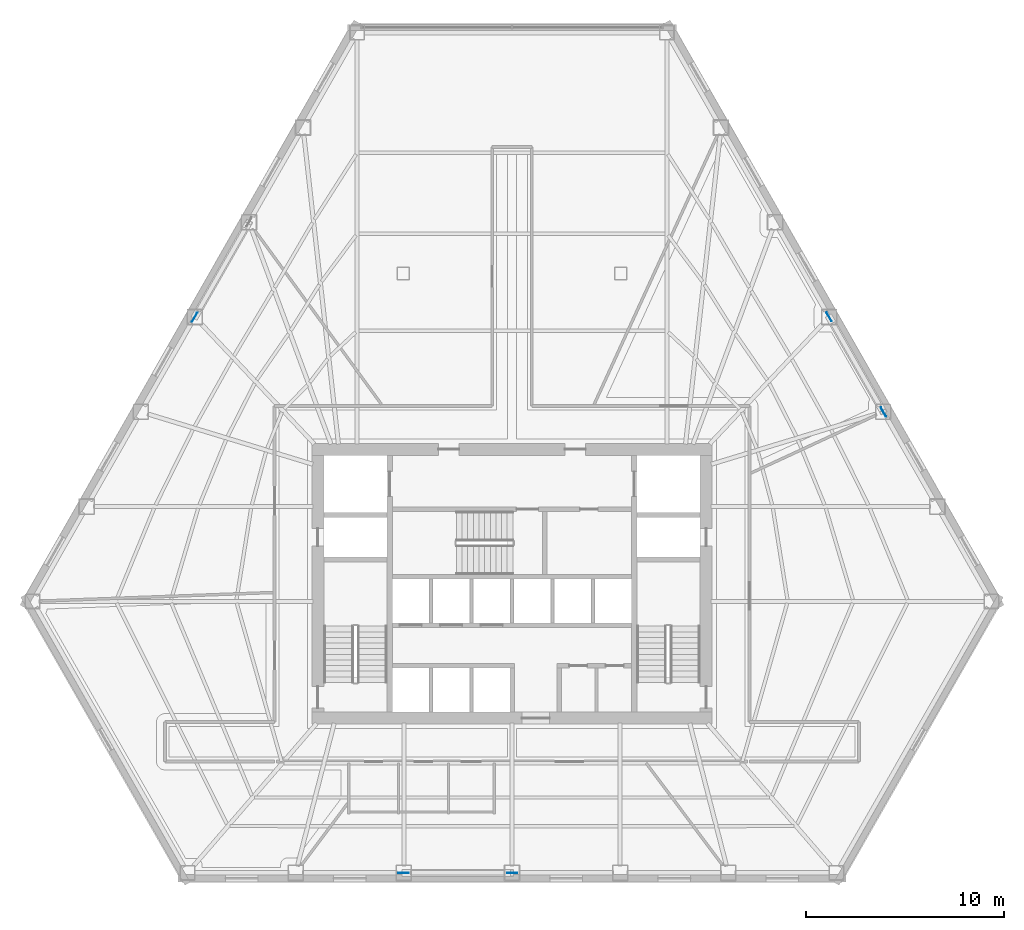
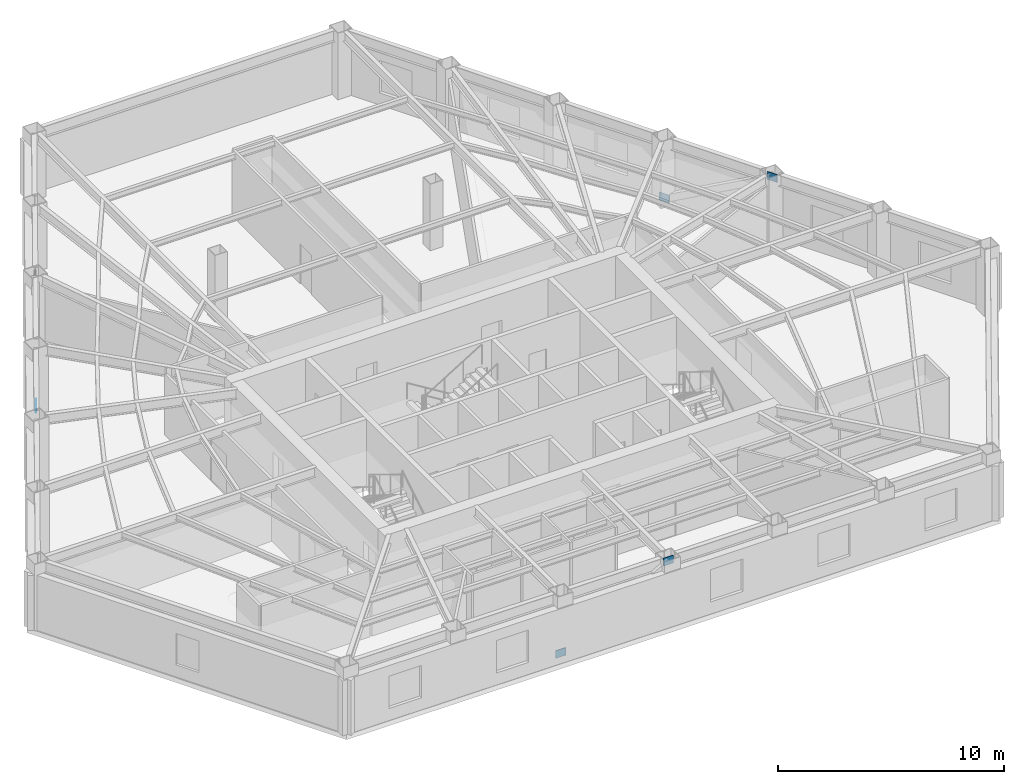
# One storey, part 5 of 12: 5 plates.
"""IFC4 building model written with IfcOpenShell, lengths in metres."""

from ifc_helpers import new_model, si_unit, direction, frame, origin, origin_2d, place, context, subcontext, project, spatial, rectangle, extrude, material, layer, layer_set, type_object, element, save


model = new_model("IFC4")

# Units and contexts
model_context = context("Model", 3, precision=1e-05, world=origin(), true_north=direction((0.0, 1.0)))
body_context = subcontext(model_context, "Body", "Model", "MODEL_VIEW")
ifc_project = project(units=[si_unit("LENGTHUNIT", "METRE"), si_unit("AREAUNIT", "SQUARE_METRE"), si_unit("VOLUMEUNIT", "CUBIC_METRE"), si_unit("PLANEANGLEUNIT", "RADIAN"), si_unit("MASSUNIT", "GRAM", prefix="KILO")], contexts=[model_context])

# Site, building, storey
site_placement = place(None, origin())
site = spatial("IfcSite", under=ifc_project, at=site_placement, CompositionType="ELEMENT")
building_placement = place(site_placement, origin())
building = spatial("IfcBuilding", under=site, at=building_placement, Name="Kavelnor Concourse Tower", CompositionType="ELEMENT")
storey_placement = place(building_placement, frame((0.0, 0.0, 21.39990234375)))
storey = spatial("IfcBuildingStorey", under=building, at=storey_placement, Name="L05", CompositionType="ELEMENT", Elevation=21.39990234375)

# Plates
ifc_material = material(Name="Steel Grade 350", Category="steel")
ifc_layer = layer(ifc_material, 0.031982421875, Name="Steel Grade 350")
ifc_layer_set = layer_set([ifc_layer], Name="Steel Grade 350")
plate_type = type_object("IfcPlateType", Name="PL-GUSSET-TUBE-Z1", PredefinedType="USERDEFINED", material=ifc_layer_set)
for number, where, z_axis, x_axis, name in (
    (1, (21.9404296875, 29.58642578125, 0.01025390625), (0.0, 0.0, 1.0), (0.495761847839, 0.86845851382, 0.0), "L05 Tube Brace Gusset GP3 F0-B2 End Gusset A"),
    (2, (32.513671875, 1.462890625, 0.01025390625), (0.0, 0.0, 1.0), (1.0, 0.0, 0.0), "L05 Tube Brace Gusset GP3 F1-B2 End Gusset A"),
    (3, (38.011962890625, 1.462890625, 3.07421875), (0.0, 0.0, 1.0), (1.0, 0.0, 0.0), "L05 Tube Brace Gusset GP3 F1-B2 End Gusset B"),
    (4, (54.047607421875, 29.607177734375, 0.01025390625), (0.0, 0.0, 1.0), (0.495761847839, -0.86845851382, 0.0), "L05 Tube Brace Gusset GP3 F2-B2 End Gusset A"),
    (5, (56.79736328125, 24.78955078125, 3.07421875), (0.0, 0.0, 1.0), (0.495761847839, -0.86845851382, 0.0), "L05 Tube Brace Gusset GP3 F2-B2 End Gusset B"),
):
    element("IfcPlate", number, at=place(storey_placement, frame(where, z_axis=z_axis, x_axis=x_axis)), inside=storey, type_object=plate_type, Name=name, ObjectType="GUSSET_PLATE", PredefinedType="USERDEFINED", context=body_context, shape_type="SweptSolid", body=[
        extrude(rectangle(XDim=0.52001953125, YDim=0.031982421875, at=origin_2d()), origin(), (0.0, 0.0, 1.0), 0.419921875),
    ])

save(model, "model.ifc")
